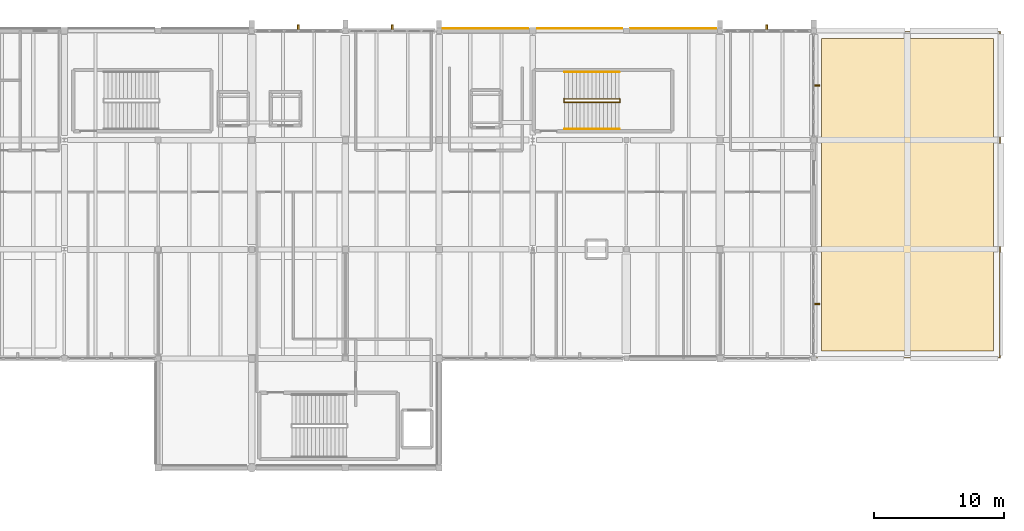
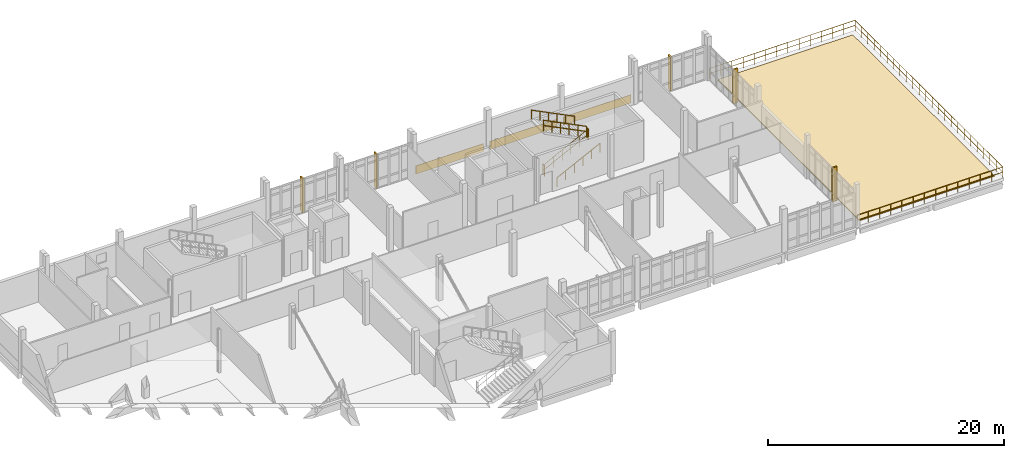
# One storey, part 34 of 34: 7 railings, 5 shading devices, 4 coverings.
"""IFC4 building model written with IfcOpenShell, lengths in metres."""

from ifc_helpers import new_model, si_unit, direction, frame, origin, origin_2d, place, context, subcontext, project, spatial, polyline, rectangle, circle, outline, extrude, material, layer, layer_set, type_object, element, save


model = new_model("IFC4")

# Units and contexts
model_context = context("Model", 3, precision=1e-05, world=origin(), true_north=direction((0.0, 1.0)))
body_context = subcontext(model_context, "Body", "Model", "MODEL_VIEW")
ifc_project = project(units=[si_unit("LENGTHUNIT", "METRE"), si_unit("AREAUNIT", "SQUARE_METRE"), si_unit("VOLUMEUNIT", "CUBIC_METRE"), si_unit("PLANEANGLEUNIT", "RADIAN"), si_unit("MASSUNIT", "GRAM", prefix="KILO")], contexts=[model_context])

# Site, building, storey
site_placement = place(None, origin())
site = spatial("IfcSite", under=ifc_project, at=site_placement, CompositionType="ELEMENT")
building_placement = place(site_placement, origin())
building = spatial("IfcBuilding", under=site, at=building_placement, Name="Kalluvel Institute of Natural Sciences", CompositionType="ELEMENT")
storey_placement = place(building_placement, frame((0.0, 0.0, 36.89990234375)))
storey = spatial("IfcBuildingStorey", under=building, at=storey_placement, Name="L08", CompositionType="ELEMENT", Elevation=36.89990234375)

# Coverings
ifc_material_1 = material(Name="Sadarahalli Grey Granite Ashlar Concrete M40", Category="masonry")
ifc_layer_1 = layer(ifc_material_1, 0.044921875)
ifc_layer_set_1 = layer_set([ifc_layer_1], Name="Sadarahalli Grey Granite Ashlar Concrete M40")
covering_type_1 = type_object("IfcCoveringType", Name="COV-CLAD-STONE", PredefinedType="CLADDING", material=ifc_layer_set_1)
covering_1_placement = place(storey_placement, frame((60.77490234375, 128.179931640625, 0.025146484375), z_axis=(0.0, 0.0, 1.0), x_axis=(1.0, 0.0, 0.0)))
element("IfcCovering", 1, at=covering_1_placement, inside=storey, type_object=covering_type_1, Name="L08 Sadarahalli granite plinth spandrel cladding 99", PredefinedType="CLADDING", context=body_context, shape_type="SweptSolid", body=[
    extrude(rectangle(XDim=6.590087890625, YDim=0.044921875, at=origin_2d()), origin(), (0.0, 0.0, 1.0), 0.85009765625),
])
covering_2_placement = place(storey_placement, frame((68.012451171875, 128.179931640625, 0.025146484375), z_axis=(0.0, 0.0, 1.0), x_axis=(1.0, 0.0, 0.0)))
element("IfcCovering", 2, at=covering_2_placement, inside=storey, type_object=covering_type_1, Name="L08 Sadarahalli granite plinth spandrel cladding 100", PredefinedType="CLADDING", context=body_context, shape_type="SweptSolid", body=[
    extrude(rectangle(XDim=6.56494140625, YDim=0.044921875, at=origin_2d()), origin(), (0.0, 0.0, 1.0), 0.85009765625),
])
covering_3_placement = place(storey_placement, frame((75.21240234375, 128.179931640625, 0.025146484375), z_axis=(0.0, 0.0, 1.0), x_axis=(1.0, 0.0, 0.0)))
element("IfcCovering", 3, at=covering_3_placement, inside=storey, type_object=covering_type_1, Name="L08 Sadarahalli granite plinth spandrel cladding 101", PredefinedType="CLADDING", context=body_context, shape_type="SweptSolid", body=[
    extrude(rectangle(XDim=6.614990234375, YDim=0.044921875, at=origin_2d()), origin(), (0.0, 0.0, 1.0), 0.85009765625),
])
ifc_material_2 = material(Name="Planted Sedum and Native Flora Green-Roof Build-Up", Category="earth")
ifc_layer_2 = layer(ifc_material_2, 0.090087890625)
ifc_layer_set_2 = layer_set([ifc_layer_2], Name="Planted Sedum and Native Flora Green-Roof Build-Up")
covering_type_2 = type_object("IfcCoveringType", Name="COV-TER-PLANTED", PredefinedType="ROOFING", material=ifc_layer_set_2)
covering_4_placement = place(storey_placement, origin())
element("IfcCovering", 4, at=covering_4_placement, inside=storey, type_object=covering_type_2, Name="L08 botanical planted terrace green-roof strip RM-L08-WET-PLANT", PredefinedType="ROOFING", context=body_context, shape_type="SweptSolid", body=[
    extrude(outline(polyline([(86.60009765625, 103.39990234375), (99.800048828125, 103.39990234375), (99.800048828125, 127.39990234375), (86.60009765625, 127.39990234375), (86.60009765625, 103.39990234375)])), origin(), (0.0, 0.0, 1.0), 0.090087890625),
])

# Railings
ifc_material_3 = material(Name="Steel E350 Grade 350", Category="steel")
railing_type_1 = type_object("IfcRailingType", Name="RL-BAL-EXT", PredefinedType="BALUSTRADE", material=ifc_material_3)
railing_1_placement = place(storey_placement, frame((86.080078125, 102.8798828125, 0.0)))
element("IfcRailing", 5, at=railing_1_placement, inside=storey, type_object=railing_type_1, Name="L08 Crown botanical terrace balustrade", PredefinedType="BALUSTRADE", context=body_context, shape_type="SweptSolid", body=[
    extrude(circle(Radius=0.02392578125, at=origin_2d()), frame((0.0, 0.0, 1.09619140625), z_axis=(1.0, 0.0, 0.0), x_axis=(0.0, 1.0, 0.0)), (0.0, 0.0, 1.0), 14.239990234375),
    extrude(circle(Radius=0.02392578125, at=origin_2d()), frame((0.0, 0.0, 0.56005859375), z_axis=(1.0, 0.0, 0.0), x_axis=(0.0, 1.0, 0.0)), (0.0, 0.0, 1.0), 14.239990234375),
    extrude(circle(Radius=0.02392578125, at=origin_2d()), frame((14.239990234375, 0.0, 1.09619140625), z_axis=(0.0, 1.0, 0.0), x_axis=(-1.0, 0.0, 0.0)), (0.0, 0.0, 1.0), 25.0400390625),
    extrude(circle(Radius=0.02392578125, at=origin_2d()), frame((14.239990234375, 0.0, 0.56005859375), z_axis=(0.0, 1.0, 0.0), x_axis=(-1.0, 0.0, 0.0)), (0.0, 0.0, 1.0), 25.0400390625),
    extrude(circle(Radius=0.02392578125, at=origin_2d()), frame((14.239990234375, 25.0400390625, 1.09619140625), z_axis=(-1.0, 0.0, 0.0), x_axis=(0.0, -1.0, 0.0)), (0.0, 0.0, 1.0), 14.239990234375),
    extrude(circle(Radius=0.02392578125, at=origin_2d()), frame((14.239990234375, 25.0400390625, 0.56005859375), z_axis=(-1.0, 0.0, 0.0), x_axis=(0.0, -1.0, 0.0)), (0.0, 0.0, 1.0), 14.239990234375),
    extrude(circle(Radius=0.02099609375, at=origin_2d()), origin(), (0.0, 0.0, 1.0), 1.072021484375),
    extrude(circle(Radius=0.02099609375, at=origin_2d()), frame((1.095458984375, 0.0, 0.0)), (0.0, 0.0, 1.0), 1.072021484375),
    extrude(circle(Radius=0.02099609375, at=origin_2d()), frame((2.190673828125, 0.0, 0.0)), (0.0, 0.0, 1.0), 1.072021484375),
    extrude(circle(Radius=0.02099609375, at=origin_2d()), frame((3.2861328125, 0.0, 0.0)), (0.0, 0.0, 1.0), 1.072021484375),
    extrude(circle(Radius=0.02099609375, at=origin_2d()), frame((4.381591796875, 0.0, 0.0)), (0.0, 0.0, 1.0), 1.072021484375),
    extrude(circle(Radius=0.02099609375, at=origin_2d()), frame((5.476806640625, 0.0, 0.0)), (0.0, 0.0, 1.0), 1.072021484375),
    extrude(circle(Radius=0.02099609375, at=origin_2d()), frame((6.572265625, 0.0, 0.0)), (0.0, 0.0, 1.0), 1.072021484375),
    extrude(circle(Radius=0.02099609375, at=origin_2d()), frame((7.667724609375, 0.0, 0.0)), (0.0, 0.0, 1.0), 1.072021484375),
    extrude(circle(Radius=0.02099609375, at=origin_2d()), frame((8.76318359375, 0.0, 0.0)), (0.0, 0.0, 1.0), 1.072021484375),
    extrude(circle(Radius=0.02099609375, at=origin_2d()), frame((9.8583984375, 0.0, 0.0)), (0.0, 0.0, 1.0), 1.072021484375),
    extrude(circle(Radius=0.02099609375, at=origin_2d()), frame((10.953857421875, 0.0, 0.0)), (0.0, 0.0, 1.0), 1.072021484375),
    extrude(circle(Radius=0.02099609375, at=origin_2d()), frame((12.04931640625, 0.0, 0.0)), (0.0, 0.0, 1.0), 1.072021484375),
    extrude(circle(Radius=0.02099609375, at=origin_2d()), frame((13.14453125, 0.0, 0.0)), (0.0, 0.0, 1.0), 1.072021484375),
    extrude(circle(Radius=0.02099609375, at=origin_2d()), frame((14.239990234375, 0.0, 0.0)), (0.0, 0.0, 1.0), 1.072021484375),
    extrude(circle(Radius=0.02099609375, at=origin_2d()), frame((14.239990234375, 1.088623046875, 0.0)), (0.0, 0.0, 1.0), 1.072021484375),
    extrude(circle(Radius=0.02099609375, at=origin_2d()), frame((14.239990234375, 2.177490234375, 0.0)), (0.0, 0.0, 1.0), 1.072021484375),
    extrude(circle(Radius=0.02099609375, at=origin_2d()), frame((14.239990234375, 3.26611328125, 0.0)), (0.0, 0.0, 1.0), 1.072021484375),
    extrude(circle(Radius=0.02099609375, at=origin_2d()), frame((14.239990234375, 4.354736328125, 0.0)), (0.0, 0.0, 1.0), 1.072021484375),
    extrude(circle(Radius=0.02099609375, at=origin_2d()), frame((14.239990234375, 5.443603515625, 0.0)), (0.0, 0.0, 1.0), 1.072021484375),
    extrude(circle(Radius=0.02099609375, at=origin_2d()), frame((14.239990234375, 6.5322265625, 0.0)), (0.0, 0.0, 1.0), 1.072021484375),
    extrude(circle(Radius=0.02099609375, at=origin_2d()), frame((14.239990234375, 7.620849609375, 0.0)), (0.0, 0.0, 1.0), 1.072021484375),
    extrude(circle(Radius=0.02099609375, at=origin_2d()), frame((14.239990234375, 8.70947265625, 0.0)), (0.0, 0.0, 1.0), 1.072021484375),
    extrude(circle(Radius=0.02099609375, at=origin_2d()), frame((14.239990234375, 9.79833984375, 0.0)), (0.0, 0.0, 1.0), 1.072021484375),
    extrude(circle(Radius=0.02099609375, at=origin_2d()), frame((14.239990234375, 10.886962890625, 0.0)), (0.0, 0.0, 1.0), 1.072021484375),
    extrude(circle(Radius=0.02099609375, at=origin_2d()), frame((14.239990234375, 11.9755859375, 0.0)), (0.0, 0.0, 1.0), 1.072021484375),
    extrude(circle(Radius=0.02099609375, at=origin_2d()), frame((14.239990234375, 13.064453125, 0.0)), (0.0, 0.0, 1.0), 1.072021484375),
    extrude(circle(Radius=0.02099609375, at=origin_2d()), frame((14.239990234375, 14.153076171875, 0.0)), (0.0, 0.0, 1.0), 1.072021484375),
    extrude(circle(Radius=0.02099609375, at=origin_2d()), frame((14.239990234375, 15.24169921875, 0.0)), (0.0, 0.0, 1.0), 1.072021484375),
    extrude(circle(Radius=0.02099609375, at=origin_2d()), frame((14.239990234375, 16.33056640625, 0.0)), (0.0, 0.0, 1.0), 1.072021484375),
    extrude(circle(Radius=0.02099609375, at=origin_2d()), frame((14.239990234375, 17.419189453125, 0.0)), (0.0, 0.0, 1.0), 1.072021484375),
    extrude(circle(Radius=0.02099609375, at=origin_2d()), frame((14.239990234375, 18.5078125, 0.0)), (0.0, 0.0, 1.0), 1.072021484375),
    extrude(circle(Radius=0.02099609375, at=origin_2d()), frame((14.239990234375, 19.596435546875, 0.0)), (0.0, 0.0, 1.0), 1.072021484375),
    extrude(circle(Radius=0.02099609375, at=origin_2d()), frame((14.239990234375, 20.685302734375, 0.0)), (0.0, 0.0, 1.0), 1.072021484375),
    extrude(circle(Radius=0.02099609375, at=origin_2d()), frame((14.239990234375, 21.77392578125, 0.0)), (0.0, 0.0, 1.0), 1.072021484375),
    extrude(circle(Radius=0.02099609375, at=origin_2d()), frame((14.239990234375, 22.862548828125, 0.0)), (0.0, 0.0, 1.0), 1.072021484375),
    extrude(circle(Radius=0.02099609375, at=origin_2d()), frame((14.239990234375, 23.951416015625, 0.0)), (0.0, 0.0, 1.0), 1.072021484375),
    extrude(circle(Radius=0.02099609375, at=origin_2d()), frame((14.239990234375, 25.0400390625, 0.0)), (0.0, 0.0, 1.0), 1.072021484375),
    extrude(circle(Radius=0.02099609375, at=origin_2d()), frame((13.14453125, 25.0400390625, 0.0)), (0.0, 0.0, 1.0), 1.072021484375),
    extrude(circle(Radius=0.02099609375, at=origin_2d()), frame((12.04931640625, 25.0400390625, 0.0)), (0.0, 0.0, 1.0), 1.072021484375),
    extrude(circle(Radius=0.02099609375, at=origin_2d()), frame((10.953857421875, 25.0400390625, 0.0)), (0.0, 0.0, 1.0), 1.072021484375),
    extrude(circle(Radius=0.02099609375, at=origin_2d()), frame((9.8583984375, 25.0400390625, 0.0)), (0.0, 0.0, 1.0), 1.072021484375),
    extrude(circle(Radius=0.02099609375, at=origin_2d()), frame((8.76318359375, 25.0400390625, 0.0)), (0.0, 0.0, 1.0), 1.072021484375),
    extrude(circle(Radius=0.02099609375, at=origin_2d()), frame((7.667724609375, 25.0400390625, 0.0)), (0.0, 0.0, 1.0), 1.072021484375),
    extrude(circle(Radius=0.02099609375, at=origin_2d()), frame((6.572265625, 25.0400390625, 0.0)), (0.0, 0.0, 1.0), 1.072021484375),
    extrude(circle(Radius=0.02099609375, at=origin_2d()), frame((5.476806640625, 25.0400390625, 0.0)), (0.0, 0.0, 1.0), 1.072021484375),
    extrude(circle(Radius=0.02099609375, at=origin_2d()), frame((4.381591796875, 25.0400390625, 0.0)), (0.0, 0.0, 1.0), 1.072021484375),
    extrude(circle(Radius=0.02099609375, at=origin_2d()), frame((3.2861328125, 25.0400390625, 0.0)), (0.0, 0.0, 1.0), 1.072021484375),
    extrude(circle(Radius=0.02099609375, at=origin_2d()), frame((2.190673828125, 25.0400390625, 0.0)), (0.0, 0.0, 1.0), 1.072021484375),
    extrude(circle(Radius=0.02099609375, at=origin_2d()), frame((1.095458984375, 25.0400390625, 0.0)), (0.0, 0.0, 1.0), 1.072021484375),
    extrude(circle(Radius=0.02099609375, at=origin_2d()), frame((0.0, 25.0400390625, 0.0)), (0.0, 0.0, 1.0), 1.072021484375),
])
ifc_material_4 = material(Name="Galvanized Fire-Rated Steel", Category="steel")
railing_type_2 = type_object("IfcRailingType", Name="RL-GD-STAIR", PredefinedType="BALUSTRADE", material=ifc_material_4)
railing_2_placement = place(storey_placement, frame((66.85009765625, 122.510009765625, 0.150146484375)))
element("IfcRailing", 6, at=railing_2_placement, inside=storey, type_object=railing_type_2, Name="L08 ST2 stair guard 1", PredefinedType="BALUSTRADE", context=body_context, shape_type="SweptSolid", body=[
    extrude(circle(Radius=0.02392578125, at=origin_2d()), frame((0.0, 0.0, 1.09619140625), z_axis=(0.894437589381, 0.0, 0.447192798132), x_axis=(0.0, 1.0, 0.0)), (0.0, 0.0, 1.0), 4.695556640625),
    extrude(circle(Radius=0.02392578125, at=origin_2d()), frame((0.0, 0.0, 0.56005859375), z_axis=(0.894437589381, 0.0, 0.447192798132), x_axis=(0.0, 1.0, 0.0)), (0.0, 0.0, 1.0), 4.695556640625),
    extrude(circle(Radius=0.02099609375, at=origin_2d()), origin(), (0.0, 0.0, 1.0), 1.072021484375),
    extrude(circle(Radius=0.02099609375, at=origin_2d()), frame((0.840087890625, 0.0, 0.419921875)), (0.0, 0.0, 1.0), 1.072021484375),
    extrude(circle(Radius=0.02099609375, at=origin_2d()), frame((1.679931640625, 0.0, 0.83984375)), (0.0, 0.0, 1.0), 1.072021484375),
    extrude(circle(Radius=0.02099609375, at=origin_2d()), frame((2.52001953125, 0.0, 1.260009765625)), (0.0, 0.0, 1.0), 1.072021484375),
    extrude(circle(Radius=0.02099609375, at=origin_2d()), frame((3.35986328125, 0.0, 1.679931640625)), (0.0, 0.0, 1.0), 1.072021484375),
    extrude(circle(Radius=0.02099609375, at=origin_2d()), frame((4.199951171875, 0.0, 2.099853515625)), (0.0, 0.0, 1.0), 1.072021484375),
])
railing_3_placement = place(storey_placement, frame((71.10009765625, 122.4951171875, 2.25)))
element("IfcRailing", 7, at=railing_3_placement, inside=storey, type_object=railing_type_2, Name="L08 ST2 stair guard 2", PredefinedType="BALUSTRADE", context=body_context, shape_type="SweptSolid", body=[
    extrude(circle(Radius=0.02392578125, at=origin_2d()), frame((0.0, 0.0, 1.09619140625), z_axis=(0.0, 1.0, 0.0), x_axis=(-1.0, 0.0, 0.0)), (0.0, 0.0, 1.0), 0.27978515625),
    extrude(circle(Radius=0.02392578125, at=origin_2d()), frame((0.0, 0.0, 0.56005859375), z_axis=(0.0, 1.0, 0.0), x_axis=(-1.0, 0.0, 0.0)), (0.0, 0.0, 1.0), 0.27978515625),
    extrude(circle(Radius=0.02099609375, at=origin_2d()), origin(), (0.0, 0.0, 1.0), 1.072021484375),
    extrude(circle(Radius=0.02099609375, at=origin_2d()), frame((0.0, 0.27978515625, 0.0)), (0.0, 0.0, 1.0), 1.072021484375),
])
railing_4_placement = place(storey_placement, frame((71.050048828125, 122.760009765625, 2.400146484375)))
element("IfcRailing", 8, at=railing_4_placement, inside=storey, type_object=railing_type_2, Name="L08 ST2 stair guard 3", PredefinedType="BALUSTRADE", context=body_context, shape_type="SweptSolid", body=[
    extrude(circle(Radius=0.02392578125, at=origin_2d()), frame((0.0, 0.0, 1.09619140625), z_axis=(-0.894437589381, 0.0, 0.447192798132), x_axis=(0.0, -1.0, 0.0)), (0.0, 0.0, 1.0), 4.695556640625),
    extrude(circle(Radius=0.02392578125, at=origin_2d()), frame((0.0, 0.0, 0.56005859375), z_axis=(-0.894437589381, 0.0, 0.447192798132), x_axis=(0.0, -1.0, 0.0)), (0.0, 0.0, 1.0), 4.695556640625),
    extrude(circle(Radius=0.02099609375, at=origin_2d()), origin(), (0.0, 0.0, 1.0), 1.072021484375),
    extrude(circle(Radius=0.02099609375, at=origin_2d()), frame((-0.840087890625, 0.0, 0.419921875)), (0.0, 0.0, 1.0), 1.072021484375),
    extrude(circle(Radius=0.02099609375, at=origin_2d()), frame((-1.679931640625, 0.0, 0.83984375)), (0.0, 0.0, 1.0), 1.072021484375),
    extrude(circle(Radius=0.02099609375, at=origin_2d()), frame((-2.52001953125, 0.0, 1.260009765625)), (0.0, 0.0, 1.0), 1.072021484375),
    extrude(circle(Radius=0.02099609375, at=origin_2d()), frame((-3.35986328125, 0.0, 1.679931640625)), (0.0, 0.0, 1.0), 1.072021484375),
    extrude(circle(Radius=0.02099609375, at=origin_2d()), frame((-4.199951171875, 0.0, 2.099853515625)), (0.0, 0.0, 1.0), 1.072021484375),
])
railing_5_placement = place(storey_placement, frame((66.800048828125, 122.4951171875, 0.0)))
element("IfcRailing", 9, at=railing_5_placement, inside=storey, type_object=railing_type_2, Name="L08 ST2 stair guard 4", PredefinedType="BALUSTRADE", context=body_context, shape_type="SweptSolid", body=[
    extrude(circle(Radius=0.02392578125, at=origin_2d()), frame((0.0, 0.0, 1.09619140625), z_axis=(0.0, 1.0, 0.0), x_axis=(-1.0, 0.0, 0.0)), (0.0, 0.0, 1.0), 0.27978515625),
    extrude(circle(Radius=0.02392578125, at=origin_2d()), frame((0.0, 0.0, 0.56005859375), z_axis=(0.0, 1.0, 0.0), x_axis=(-1.0, 0.0, 0.0)), (0.0, 0.0, 1.0), 0.27978515625),
    extrude(circle(Radius=0.02099609375, at=origin_2d()), origin(), (0.0, 0.0, 1.0), 1.072021484375),
    extrude(circle(Radius=0.02099609375, at=origin_2d()), frame((0.0, 0.27978515625, 0.0)), (0.0, 0.0, 1.0), 1.072021484375),
])
railing_type_3 = type_object("IfcRailingType", Name="RL-HR-STAIR", PredefinedType="HANDRAIL", material=ifc_material_4)
railing_6_placement = place(storey_placement, frame((66.85009765625, 120.449951171875, 0.150146484375)))
element("IfcRailing", 10, at=railing_6_placement, inside=storey, type_object=railing_type_3, Name="L08 ST2 stair handrail 1", PredefinedType="HANDRAIL", context=body_context, shape_type="SweptSolid", body=[
    extrude(circle(Radius=0.02392578125, at=origin_2d()), frame((0.0, 0.0, 0.89599609375), z_axis=(0.894437589381, 0.0, 0.447192798132), x_axis=(0.0, 1.0, 0.0)), (0.0, 0.0, 1.0), 4.695556640625),
    extrude(circle(Radius=0.02099609375, at=origin_2d()), origin(), (0.0, 0.0, 1.0), 0.871826171875),
    extrude(circle(Radius=0.02099609375, at=origin_2d()), frame((0.840087890625, 0.0, 0.419921875)), (0.0, 0.0, 1.0), 0.871826171875),
    extrude(circle(Radius=0.02099609375, at=origin_2d()), frame((1.679931640625, 0.0, 0.83984375)), (0.0, 0.0, 1.0), 0.871826171875),
    extrude(circle(Radius=0.02099609375, at=origin_2d()), frame((2.52001953125, 0.0, 1.260009765625)), (0.0, 0.0, 1.0), 0.871826171875),
    extrude(circle(Radius=0.02099609375, at=origin_2d()), frame((3.35986328125, 0.0, 1.679931640625)), (0.0, 0.0, 1.0), 0.871826171875),
    extrude(circle(Radius=0.02099609375, at=origin_2d()), frame((4.199951171875, 0.0, 2.099853515625)), (0.0, 0.0, 1.0), 0.871826171875),
])
railing_7_placement = place(storey_placement, frame((71.050048828125, 124.820068359375, 2.400146484375)))
element("IfcRailing", 11, at=railing_7_placement, inside=storey, type_object=railing_type_3, Name="L08 ST2 stair handrail 2", PredefinedType="HANDRAIL", context=body_context, shape_type="SweptSolid", body=[
    extrude(circle(Radius=0.02392578125, at=origin_2d()), frame((0.0, 0.0, 0.89599609375), z_axis=(-0.894437589381, 0.0, 0.447192798132), x_axis=(0.0, -1.0, 0.0)), (0.0, 0.0, 1.0), 4.695556640625),
    extrude(circle(Radius=0.02099609375, at=origin_2d()), origin(), (0.0, 0.0, 1.0), 0.871826171875),
    extrude(circle(Radius=0.02099609375, at=origin_2d()), frame((-0.840087890625, 0.0, 0.419921875)), (0.0, 0.0, 1.0), 0.871826171875),
    extrude(circle(Radius=0.02099609375, at=origin_2d()), frame((-1.679931640625, 0.0, 0.83984375)), (0.0, 0.0, 1.0), 0.871826171875),
    extrude(circle(Radius=0.02099609375, at=origin_2d()), frame((-2.52001953125, 0.0, 1.260009765625)), (0.0, 0.0, 1.0), 0.871826171875),
    extrude(circle(Radius=0.02099609375, at=origin_2d()), frame((-3.35986328125, 0.0, 1.679931640625)), (0.0, 0.0, 1.0), 0.871826171875),
    extrude(circle(Radius=0.02099609375, at=origin_2d()), frame((-4.199951171875, 0.0, 2.099853515625)), (0.0, 0.0, 1.0), 0.871826171875),
])

# Shading devices
shading_device_type = type_object("IfcShadingDeviceType", Name="SHD-FIN-STONE", PredefinedType="USERDEFINED", material=ifc_material_1)
for number, where, z_axis, x_axis, name in (
    (12, (46.387451171875, 128.219970703125, 0.0), (0.0, 0.0, 1.0), (1.0, 0.0, 0.0), "L08 monsoon lancet shading fin 104"),
    (13, (53.612548828125, 128.219970703125, 0.0), (0.0, 0.0, 1.0), (1.0, 0.0, 0.0), "L08 monsoon lancet shading fin 105"),
    (14, (82.387451171875, 128.219970703125, 0.0), (0.0, 0.0, 1.0), (1.0, 0.0, 0.0), "L08 monsoon lancet shading fin 106"),
    (15, (86.219970703125, 107.0, 0.0), (0.0, 0.0, 1.0), (0.0, 1.0, 0.0), "L08 monsoon lancet shading fin 112"),
    (16, (86.219970703125, 123.800048828125, 0.0), (0.0, 0.0, 1.0), (0.0, 1.0, 0.0), "L08 monsoon lancet shading fin 113"),
):
    element("IfcShadingDevice", number, at=place(storey_placement, frame(where, z_axis=z_axis, x_axis=x_axis)), inside=storey, type_object=shading_device_type, Name=name, ObjectType="MONSOON FIN", PredefinedType="USERDEFINED", context=body_context, shape_type="SweptSolid", body=[
        extrude(rectangle(XDim=0.139892578125, YDim=0.47998046875, at=origin_2d()), origin(), (0.0, 0.0, 1.0), 3.530029296875),
    ])

save(model, "model.ifc")
